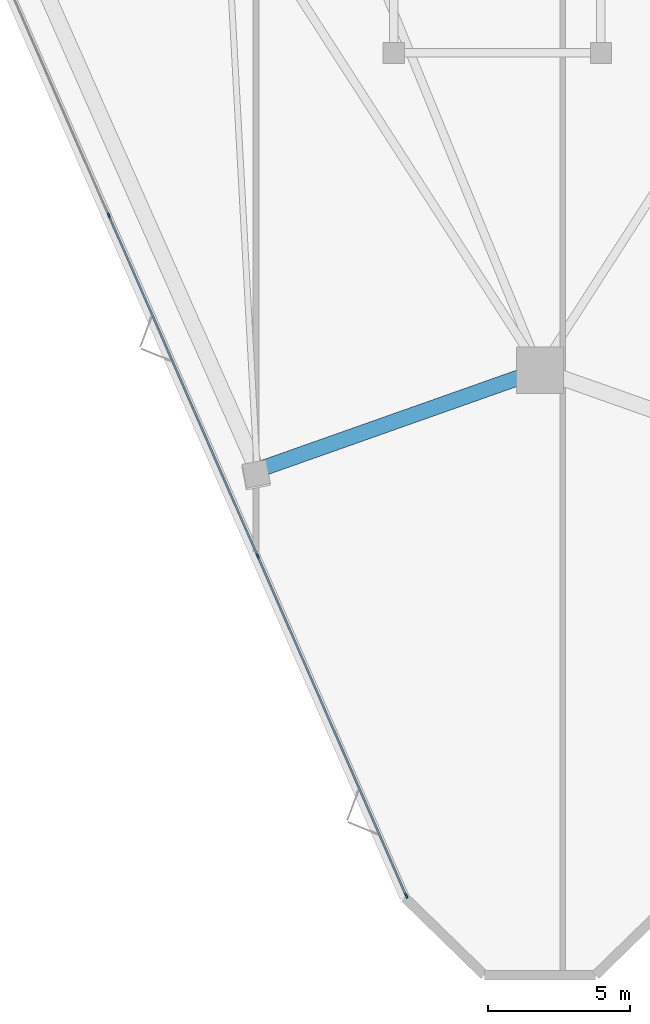
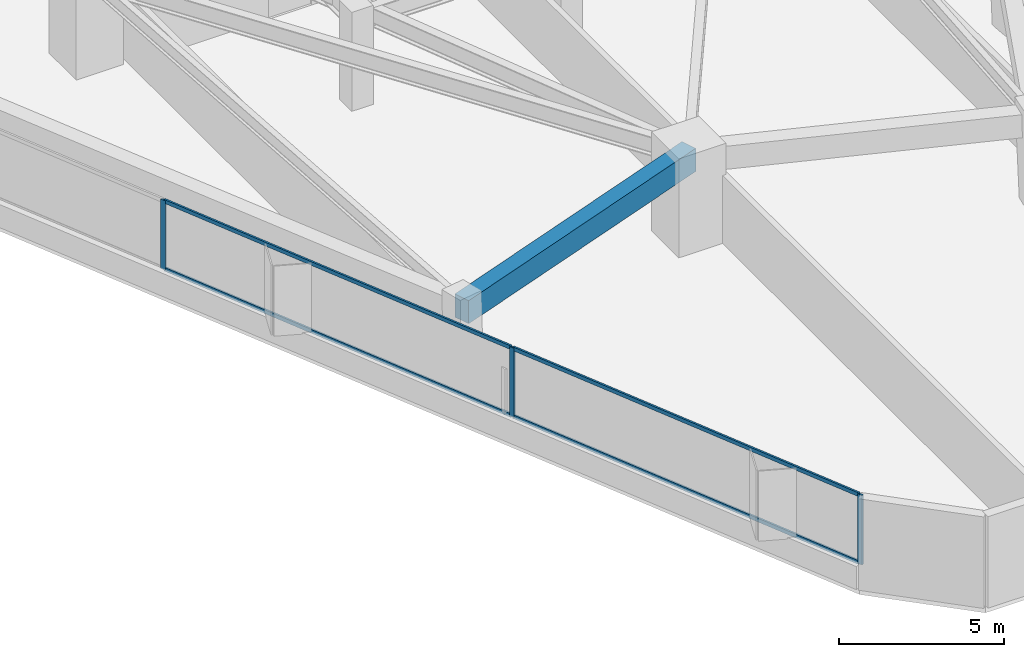
# One storey, part 2 of 17: 7 members, 1 beam, 1 element without a shape of its own.
"""IFC4 building model written with IfcOpenShell, lengths in metres."""

from ifc_helpers import new_model, si_unit, direction, frame, origin, origin_2d, place, context, subcontext, project, spatial, rectangle, extrude, material, layer, layer_set, material_profile, profile_set, type_object, element, aggregate, save


model = new_model("IFC4")

# Units and contexts
model_context = context("Model", 3, precision=1e-05, world=origin(), true_north=direction((0.0, 1.0)))
body_context = subcontext(model_context, "Body", "Model", "MODEL_VIEW")
ifc_project = project(units=[si_unit("LENGTHUNIT", "METRE"), si_unit("AREAUNIT", "SQUARE_METRE"), si_unit("VOLUMEUNIT", "CUBIC_METRE"), si_unit("PLANEANGLEUNIT", "RADIAN"), si_unit("MASSUNIT", "GRAM", prefix="KILO")], contexts=[model_context])

# Site, building, storey
site_placement = place(None, origin())
site = spatial("IfcSite", under=ifc_project, at=site_placement, CompositionType="ELEMENT")
building_placement = place(site_placement, origin())
building = spatial("IfcBuilding", under=site, at=building_placement, Name="Talyreon Biosciences Tower", CompositionType="ELEMENT")
storey_placement = place(building_placement, frame((0.0, 0.0, 93.25)))
storey = spatial("IfcBuildingStorey", under=building, at=storey_placement, Name="L24", CompositionType="ELEMENT", Elevation=93.25)

# Curtain wall, members
ifc_material_1 = material(Name="Thermally broken aluminium and low-E glazing", Category="aluminium")
ifc_layer = layer(ifc_material_1, 0.18994140625)
ifc_layer_set = layer_set([ifc_layer], Name="Thermally broken aluminium and low-E glazing")
curtain_wall_type = type_object("IfcCurtainWallType", Name="CurtainWall_Zone2Genomics", PredefinedType="NOTDEFINED", material=ifc_layer_set)
curtain_wall_placement = place(storey_placement, origin())
curtain_wall = element("IfcCurtainWall", 1, at=curtain_wall_placement, inside=storey, type_object=curtain_wall_type, Name="L24 Unitised Curtain Wall FCW-L24-00", PredefinedType="NOTDEFINED")
ifc_material_2 = material(Name="Anodised thermally broken aluminium", Category="aluminium")
ifc_material_profile_1 = material_profile(ifc_material_2, rectangle(XDim=0.06494140625, YDim=0.179931640625, at=origin_2d()), Name="ALUM MULLION 65x180")
ifc_profile_set_1 = profile_set([ifc_material_profile_1], Name="Anodised thermally broken aluminium")
member_type_1 = type_object("IfcMemberType", Name="CWMullion_65x180", PredefinedType="MULLION", material=ifc_profile_set_1)
member_1_placement = place(storey_placement, frame((61.295654296875, 23.1533203125, 0.81005859375), z_axis=(0.0, 0.0, 1.0), x_axis=(-0.916278218967, -0.400542414041, 0.0)))
member_1 = element("IfcMember", 2, at=member_1_placement, type_object=member_type_1, Name="CW3 mullion 1", PredefinedType="MULLION", context=body_context, shape_type="SweptSolid", body=[
    extrude(rectangle(XDim=0.06494140625, YDim=0.179931640625, at=origin_2d()), origin(), (0.0, 0.0, 1.0), 2.56494140625),
])
member_2_placement = place(storey_placement, frame((56.06494140625, 35.119384765625, 0.81005859375), z_axis=(0.0, 0.0, 1.0), x_axis=(-0.916278218967, -0.400542414041, 0.0)))
member_2 = element("IfcMember", 3, at=member_2_placement, type_object=member_type_1, Name="CW3 mullion 2", PredefinedType="MULLION", context=body_context, shape_type="SweptSolid", body=[
    extrude(rectangle(XDim=0.06494140625, YDim=0.179931640625, at=origin_2d()), origin(), (0.0, 0.0, 1.0), 2.56494140625),
])
member_3_placement = place(storey_placement, frame((50.821044921875, 47.115234375, 0.81005859375), z_axis=(0.0, 0.0, 1.0), x_axis=(-0.916278218967, -0.400542414041, 0.0)))
member_3 = element("IfcMember", 4, at=member_3_placement, type_object=member_type_1, Name="CW3 mullion 3", PredefinedType="MULLION", context=body_context, shape_type="SweptSolid", body=[
    extrude(rectangle(XDim=0.06494140625, YDim=0.179931640625, at=origin_2d()), origin(), (0.0, 0.0, 1.0), 2.56494140625),
])
ifc_material_profile_2 = material_profile(ifc_material_2, rectangle(XDim=0.06494140625, YDim=0.139892578125, at=origin_2d()), Name="ALUM TRANSOM 65x140")
ifc_profile_set_2 = profile_set([ifc_material_profile_2], Name="Anodised thermally broken aluminium")
member_type_2 = type_object("IfcMemberType", Name="CWTransom_65x140", PredefinedType="USERDEFINED", material=ifc_profile_set_2)
member_4_placement = place(storey_placement, frame((61.28271484375, 23.18310546875, 0.842529296875), z_axis=(-0.400543831876, 0.916277599173, 0.0), x_axis=(-0.916277599173, -0.400543831876, 0.0)))
member_4 = element("IfcMember", 5, at=member_4_placement, type_object=member_type_2, Name="CW3 transom 1.1", ObjectType="TRANSOM", PredefinedType="USERDEFINED", context=body_context, shape_type="SweptSolid", body=[
    extrude(rectangle(XDim=0.06494140625, YDim=0.139892578125, at=origin_2d()), origin(), (0.0, 0.0, 1.0), 12.994384765625),
])
member_5_placement = place(storey_placement, frame((61.28271484375, 23.18310546875, 3.342529296875), z_axis=(-0.400543831876, 0.916277599173, 0.0), x_axis=(-0.916277599173, -0.400543831876, 0.0)))
member_5 = element("IfcMember", 6, at=member_5_placement, type_object=member_type_2, Name="CW3 transom 1.2", ObjectType="TRANSOM", PredefinedType="USERDEFINED", context=body_context, shape_type="SweptSolid", body=[
    extrude(rectangle(XDim=0.06494140625, YDim=0.139892578125, at=origin_2d()), origin(), (0.0, 0.0, 1.0), 12.994384765625),
])
member_6_placement = place(storey_placement, frame((56.0517578125, 35.149169921875, 0.842529296875), z_axis=(-0.400538617789, 0.916279878454, 0.0), x_axis=(-0.916279878454, -0.400538617789, 0.0)))
member_6 = element("IfcMember", 7, at=member_6_placement, type_object=member_type_2, Name="CW3 transom 2.1", ObjectType="TRANSOM", PredefinedType="USERDEFINED", context=body_context, shape_type="SweptSolid", body=[
    extrude(rectangle(XDim=0.06494140625, YDim=0.139892578125, at=origin_2d()), origin(), (0.0, 0.0, 1.0), 13.02685546875),
])
member_7_placement = place(storey_placement, frame((56.0517578125, 35.149169921875, 3.342529296875), z_axis=(-0.400538617789, 0.916279878454, 0.0), x_axis=(-0.916279878454, -0.400538617789, 0.0)))
member_7 = element("IfcMember", 8, at=member_7_placement, type_object=member_type_2, Name="CW3 transom 2.2", ObjectType="TRANSOM", PredefinedType="USERDEFINED", context=body_context, shape_type="SweptSolid", body=[
    extrude(rectangle(XDim=0.06494140625, YDim=0.139892578125, at=origin_2d()), origin(), (0.0, 0.0, 1.0), 13.02685546875),
])
aggregate(curtain_wall, [member_1, member_2, member_3, member_4, member_5, member_6, member_7])

# Beam
ifc_material_3 = material(Name="Precast concrete C45/55", Category="concrete")
ifc_material_profile_3 = material_profile(ifc_material_3, rectangle(XDim=0.550048828125, YDim=0.85009765625, at=origin_2d()), Name="RCB 550x850")
ifc_profile_set_3 = profile_set([ifc_material_profile_3], Name="Precast concrete C45/55")
beam_type = type_object("IfcBeamType", Name="ExpressedSpandrel_550x850", PredefinedType="SPANDREL", material=ifc_profile_set_3)
beam_placement = place(storey_placement, frame((56.04150390625, 38.14599609375, 2.949951171875), z_axis=(0.942804994077, 0.333344781186, 0.0), x_axis=(-0.333344781186, 0.942804994077, 0.0)))
element("IfcBeam", 9, at=beam_placement, inside=storey, type_object=beam_type, Name="L24 Expressed Horizontal Concrete Spandrel 12", PredefinedType="SPANDREL", context=body_context, shape_type="SweptSolid", body=[
    extrude(rectangle(XDim=0.550048828125, YDim=0.85009765625, at=origin_2d()), origin(), (0.0, 0.0, 1.0), 10.562744140625),
])

save(model, "model.ifc")
